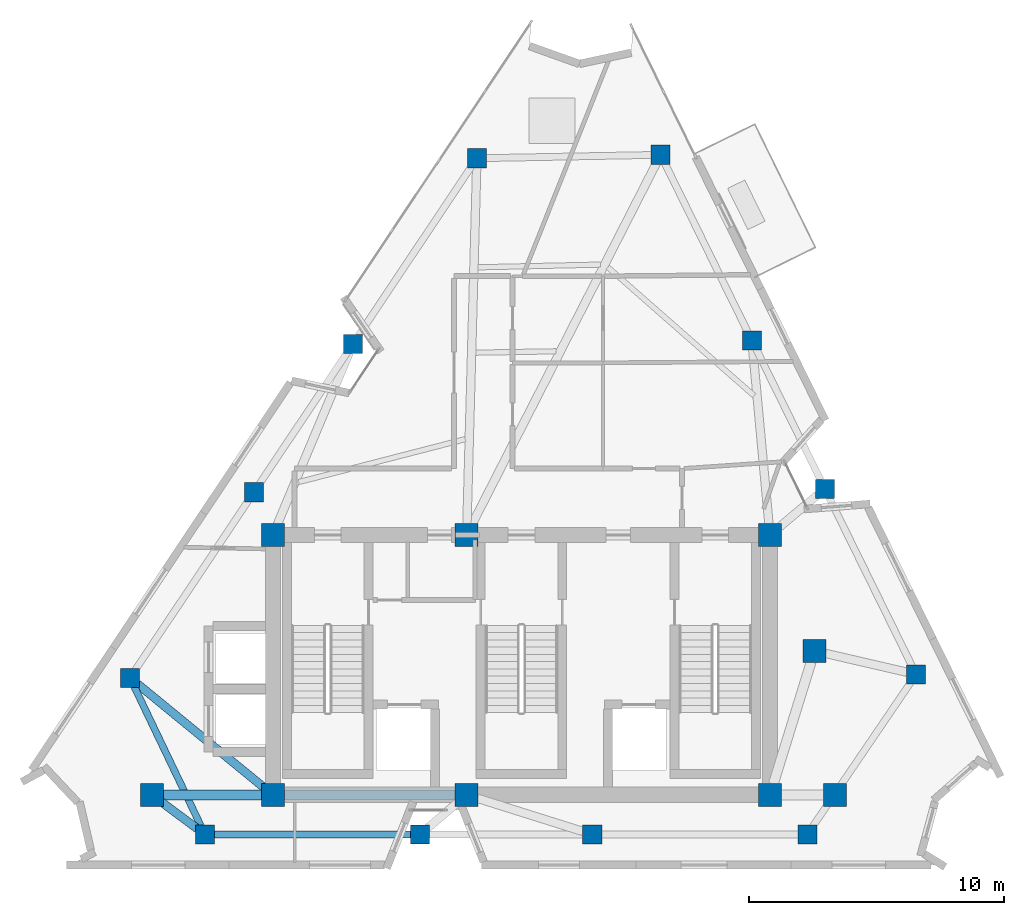
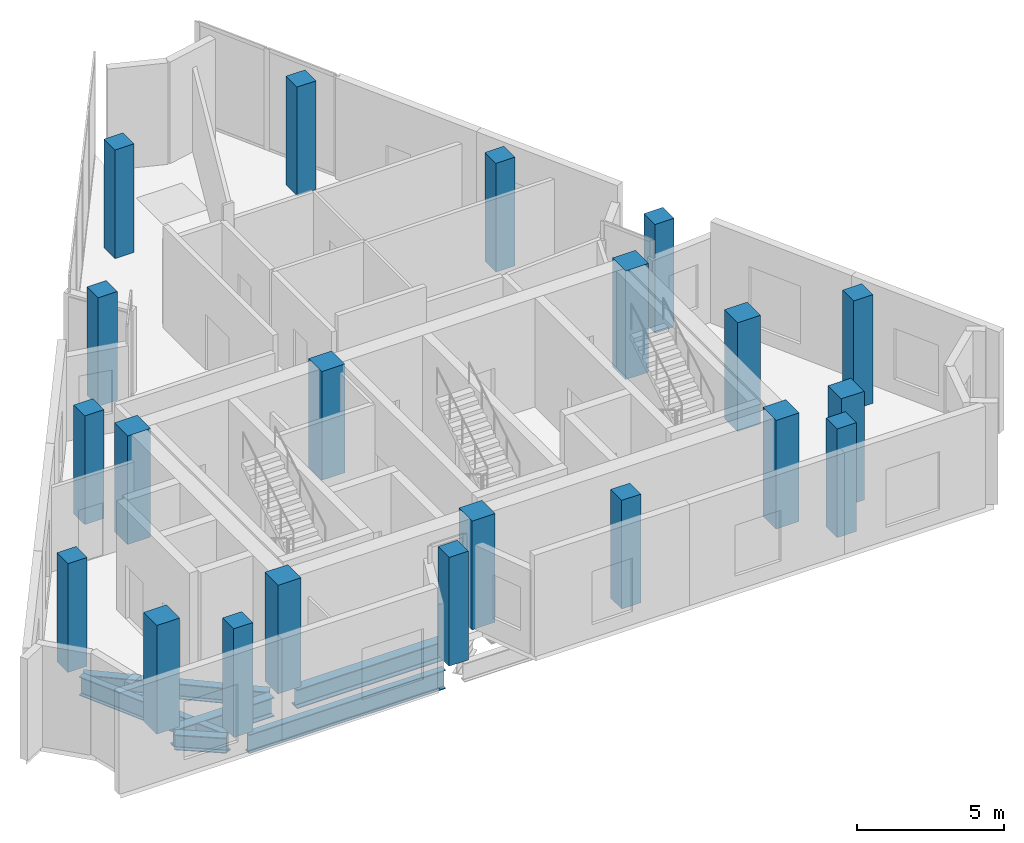
# One storey, part 1 of 8: 21 columns, 6 beams.
"""IFC4 building model written with IfcOpenShell, lengths in metres."""

from ifc_helpers import new_model, si_unit, direction, frame, origin, origin_2d, place, context, subcontext, project, spatial, rectangle, i_section, extrude, material, material_profile, profile_set, type_object, element, save


model = new_model("IFC4")

# Units and contexts
model_context = context("Model", 3, precision=1e-05, world=origin(), true_north=direction((0.0, 1.0)))
body_context = subcontext(model_context, "Body", "Model", "MODEL_VIEW")
ifc_project = project(units=[si_unit("LENGTHUNIT", "METRE"), si_unit("AREAUNIT", "SQUARE_METRE"), si_unit("VOLUMEUNIT", "CUBIC_METRE"), si_unit("PLANEANGLEUNIT", "RADIAN"), si_unit("MASSUNIT", "GRAM", prefix="KILO")], contexts=[model_context])

# Site, building, storey
site_placement = place(None, origin())
site = spatial("IfcSite", under=ifc_project, at=site_placement, CompositionType="ELEMENT")
building_placement = place(site_placement, origin())
building = spatial("IfcBuilding", under=site, at=building_placement, Name="Almagre Mirador Tower", CompositionType="ELEMENT")
storey_placement = place(building_placement, frame((0.0, 0.0, 294.0)))
storey = spatial("IfcBuildingStorey", under=building, at=storey_placement, Name="L76", CompositionType="ELEMENT", Elevation=294.0)

# Columns
ifc_material_1 = material(Name="Concrete C60/75", Category="concrete")
ifc_material_profile_1 = material_profile(ifc_material_1, rectangle(XDim=0.75, YDim=0.75, at=origin_2d()), Name="RC750X750")
ifc_profile_set_1 = profile_set([ifc_material_profile_1], Name="Concrete C60/75")
column_type_1 = type_object("IfcColumnType", Name="COL-RC750", PredefinedType="COLUMN", material=ifc_profile_set_1)
for number, where, z_axis, x_axis, name in (
    (1, (24.884033203125, 3.0, 0.0), (0.0, 0.0, 1.0), (1.0, 0.0, 0.0), "L76 perimeter column PC01"),
    (2, (33.323974609375, 3.0, 0.0), (0.0, 0.0, 1.0), (1.0, 0.0, 0.0), "L76 perimeter column PC02"),
    (3, (40.075927734375, 3.0, 0.0), (0.0, 0.0, 1.0), (1.0, 0.0, 0.0), "L76 perimeter column PC03"),
    (4, (48.51611328125, 3.0, 0.0), (0.0, 0.0, 1.0), (1.0, 0.0, 0.0), "L76 perimeter column PC04"),
    (5, (52.784912109375, 9.278076171875, 0.0), (0.0, 0.0, 1.0), (1.0, 0.0, 0.0), "L76 perimeter column PC05"),
    (6, (49.205078125, 16.55810546875, 0.0), (0.0, 0.0, 1.0), (1.0, 0.0, 0.0), "L76 perimeter column PC06"),
    (7, (46.341064453125, 22.382080078125, 0.0), (0.0, 0.0, 1.0), (1.0, 0.0, 0.0), "L76 perimeter column PC07"),
    (8, (42.760986328125, 29.662109375, 0.0), (0.0, 0.0, 1.0), (1.0, 0.0, 0.0), "L76 perimeter column PC08"),
    (9, (35.552001953125, 29.52587890625, 0.0), (0.0, 0.0, 1.0), (1.0, 0.0, 0.0), "L76 perimeter column PC09"),
    (10, (30.69189453125, 22.24609375, 0.0), (0.0, 0.0, 1.0), (1.0, 0.0, 0.0), "L76 perimeter column PC10"),
    (11, (26.803955078125, 16.422119140625, 0.0), (0.0, 0.0, 1.0), (1.0, 0.0, 0.0), "L76 perimeter column PC11"),
    (12, (21.944091796875, 9.14208984375, 0.0), (0.0, 0.0, 1.0), (1.0, 0.0, 0.0), "L76 perimeter column PC12"),
):
    element("IfcColumn", number, at=place(storey_placement, frame(where, z_axis=z_axis, x_axis=x_axis)), inside=storey, type_object=column_type_1, Name=name, PredefinedType="COLUMN", context=body_context, shape_type="SweptSolid", body=[
        extrude(rectangle(XDim=0.75, YDim=0.75, at=origin_2d()), origin(), (0.0, 0.0, 1.0), 4.5),
    ])
ifc_material_2 = material(Name="Concrete C60/75", Category="concrete")
ifc_material_profile_2 = material_profile(ifc_material_2, rectangle(XDim=0.89990234375, YDim=0.89990234375, at=origin_2d()), Name="RC900X900")
ifc_profile_set_2 = profile_set([ifc_material_profile_2], Name="Concrete C60/75")
column_type_2 = type_object("IfcColumnType", Name="COL-RC900", PredefinedType="COLUMN", material=ifc_profile_set_2)
for number, where, z_axis, x_axis, name in (
    (13, (27.550048828125, 4.550048828125, 0.0), (0.0, 0.0, 1.0), (1.0, 0.0, 0.0), "L76 core spine column CC1"),
    (14, (35.14990234375, 4.550048828125, 0.0), (0.0, 0.0, 1.0), (1.0, 0.0, 0.0), "L76 core spine column CC2"),
    (15, (47.050048828125, 4.550048828125, 0.0), (0.0, 0.0, 1.0), (1.0, 0.0, 0.0), "L76 core spine column CC3"),
    (16, (27.550048828125, 14.75, 0.0), (0.0, 0.0, 1.0), (1.0, 0.0, 0.0), "L76 core spine column CC4"),
    (17, (35.14990234375, 14.75, 0.0), (0.0, 0.0, 1.0), (1.0, 0.0, 0.0), "L76 core spine column CC5"),
    (18, (47.050048828125, 14.75, 0.0), (0.0, 0.0, 1.0), (1.0, 0.0, 0.0), "L76 core spine column CC6"),
    (19, (22.800048828125, 4.550048828125, 0.0), (0.0, 0.0, 1.0), (1.0, 0.0, 0.0), "L76 interior transfer column MC1"),
    (20, (49.60009765625, 4.550048828125, 0.0), (0.0, 0.0, 1.0), (1.0, 0.0, 0.0), "L76 interior transfer column MC2"),
    (21, (48.800048828125, 10.199951171875, 0.0), (0.0, 0.0, 1.0), (1.0, 0.0, 0.0), "L76 interior transfer column MC3"),
):
    element("IfcColumn", number, at=place(storey_placement, frame(where, z_axis=z_axis, x_axis=x_axis)), inside=storey, type_object=column_type_2, Name=name, PredefinedType="COLUMN", context=body_context, shape_type="SweptSolid", body=[
        extrude(rectangle(XDim=0.89990234375, YDim=0.89990234375, at=origin_2d()), origin(), (0.0, 0.0, 1.0), 4.5),
    ])

# Beams
ifc_material_3 = material(Name="Steel ASTM A992 Grade 50", Category="steel")
ifc_material_profile_3 = material_profile(ifc_material_3, i_section(OverallWidth=0.26708984375, OverallDepth=0.779052734375, WebThickness=0.0166015625, FlangeThickness=0.030029296875, FilletRadius=0.02392578125, at=origin_2d()), Name="W30X148")
ifc_profile_set_3 = profile_set([ifc_material_profile_3], Name="Steel ASTM A992 Grade 50")
beam_type_1 = type_object("IfcBeamType", Name="BM-SPN-W30X148", PredefinedType="SPANDREL", material=ifc_profile_set_3)
beam_1_placement = place(storey_placement, frame((25.259033203125, 3.0, -0.689453125), z_axis=(1.0, 0.0, 0.0), x_axis=(0.0, 1.0, 0.0)))
element("IfcBeam", 22, at=beam_1_placement, inside=storey, type_object=beam_type_1, Name="L76 perimeter spandrel beam PC01-PC02", PredefinedType="SPANDREL", context=body_context, shape_type="SweptSolid", body=[
    extrude(i_section(OverallWidth=0.26708984375, OverallDepth=0.779052734375, WebThickness=0.0166015625, FlangeThickness=0.030029296875, FilletRadius=0.02392578125, at=origin_2d()), origin(), (0.0, 0.0, 1.0), 7.68994140625),
])
beam_2_placement = place(storey_placement, frame((22.10595703125, 8.8037109375, -0.689453125), z_axis=(0.431756290683, -0.901990302307, 0.0), x_axis=(0.901990302307, 0.431756290683, 0.0)))
element("IfcBeam", 23, at=beam_2_placement, inside=storey, type_object=beam_type_1, Name="L76 perimeter spandrel beam PC12-PC01", PredefinedType="SPANDREL", context=body_context, shape_type="SweptSolid", body=[
    extrude(i_section(OverallWidth=0.26708984375, OverallDepth=0.779052734375, WebThickness=0.0166015625, FlangeThickness=0.030029296875, FilletRadius=0.02392578125, at=origin_2d()), origin(), (0.0, 0.0, 1.0), 6.0595703125),
])
ifc_material_4 = material(Name="Steel ASTM A992 Grade 50", Category="steel")
ifc_material_profile_4 = material_profile(ifc_material_4, i_section(OverallWidth=0.330078125, OverallDepth=0.635009765625, WebThickness=0.017822265625, FlangeThickness=0.031005859375, FilletRadius=0.02001953125, at=origin_2d()), Name="W24X162")
ifc_profile_set_4 = profile_set([ifc_material_profile_4], Name="Steel ASTM A992 Grade 50")
beam_type_2 = type_object("IfcBeamType", Name="BM-STL-W24X162", PredefinedType="BEAM", material=ifc_profile_set_4)
beam_3_placement = place(storey_placement, frame((24.5830078125, 3.223876953125, -0.617431640625), z_axis=(-0.802374373866, 0.596821048693, 0.0), x_axis=(-0.596821048693, -0.802374373866, 0.0)))
element("IfcBeam", 24, at=beam_3_placement, inside=storey, type_object=beam_type_2, Name="L76 radial floor girder PC01-MC1", PredefinedType="BEAM", context=body_context, shape_type="SweptSolid", body=[
    extrude(i_section(OverallWidth=0.330078125, OverallDepth=0.635009765625, WebThickness=0.017822265625, FlangeThickness=0.031005859375, FilletRadius=0.02001953125, at=origin_2d()), origin(), (0.0, 0.0, 1.0), 1.77197265625),
])
beam_4_placement = place(storey_placement, frame((22.234130859375, 8.904296875, -0.617431640625), z_axis=(0.773609930391, -0.633662114696, 0.0), x_axis=(0.633662114696, 0.773609930391, 0.0)))
element("IfcBeam", 25, at=beam_4_placement, inside=storey, type_object=beam_type_2, Name="L76 radial floor girder PC12-CC1", PredefinedType="BEAM", context=body_context, shape_type="SweptSolid", body=[
    extrude(i_section(OverallWidth=0.330078125, OverallDepth=0.635009765625, WebThickness=0.017822265625, FlangeThickness=0.031005859375, FilletRadius=0.02001953125, at=origin_2d()), origin(), (0.0, 0.0, 1.0), 6.421630859375),
])
ifc_material_5 = material(Name="Steel ASTM A992 Grade 50", Category="steel")
ifc_material_profile_5 = material_profile(ifc_material_5, i_section(OverallWidth=0.384033203125, OverallDepth=0.784912109375, WebThickness=0.019775390625, FlangeThickness=0.033447265625, FilletRadius=0.02392578125, at=origin_2d()), Name="W30X211")
ifc_profile_set_5 = profile_set([ifc_material_profile_5], Name="Steel ASTM A992 Grade 50")
beam_type_3 = type_object("IfcBeamType", Name="BM-STL-W30X211", PredefinedType="BEAM", material=ifc_profile_set_5)
beam_5_placement = place(storey_placement, frame((28.0, 4.550048828125, -0.6923828125), z_axis=(1.0, 0.0, 0.0), x_axis=(0.0, 1.0, 0.0)))
element("IfcBeam", 26, at=beam_5_placement, inside=storey, type_object=beam_type_3, Name="L76 core tie girder CC1-CC2", PredefinedType="BEAM", context=body_context, shape_type="SweptSolid", body=[
    extrude(i_section(OverallWidth=0.384033203125, OverallDepth=0.784912109375, WebThickness=0.019775390625, FlangeThickness=0.033447265625, FilletRadius=0.02392578125, at=origin_2d()), origin(), (0.0, 0.0, 1.0), 6.699951171875),
])
beam_6_placement = place(storey_placement, frame((23.25, 4.550048828125, -0.6923828125), z_axis=(1.0, 0.0, 0.0), x_axis=(0.0, 1.0, 0.0)))
element("IfcBeam", 27, at=beam_6_placement, inside=storey, type_object=beam_type_3, Name="L76 core tie girder MC1-CC1", PredefinedType="BEAM", context=body_context, shape_type="SweptSolid", body=[
    extrude(i_section(OverallWidth=0.384033203125, OverallDepth=0.784912109375, WebThickness=0.019775390625, FlangeThickness=0.033447265625, FilletRadius=0.02392578125, at=origin_2d()), origin(), (0.0, 0.0, 1.0), 3.85009765625),
])

save(model, "model.ifc")
